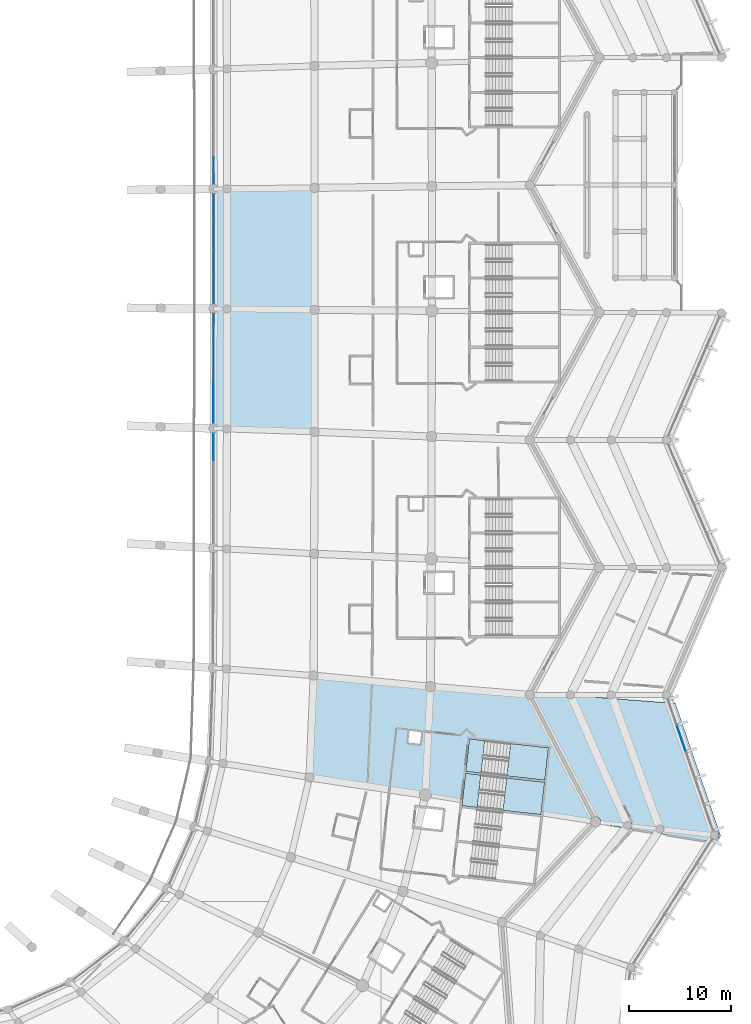
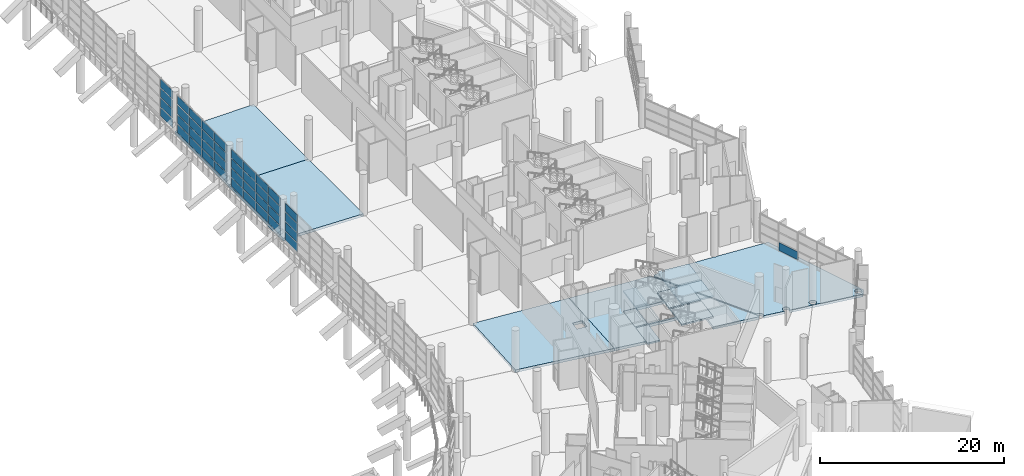
# One storey, part 133 of 271: 41 plates, 13 slabs, 7 elements without a shape of their own.
"""IFC4 building model written with IfcOpenShell, lengths in metres."""

from ifc_helpers import new_model, si_unit, direction, frame, origin, origin_2d, place, context, subcontext, project, spatial, polyline, rectangle, outline, extrude, material, layer, layer_set, type_object, element, aggregate, save


model = new_model("IFC4")

# Units and contexts
model_context = context("Model", 3, precision=1e-05, world=origin(), true_north=direction((0.0, 1.0)))
body_context = subcontext(model_context, "Body", "Model", "MODEL_VIEW")
ifc_project = project(units=[si_unit("LENGTHUNIT", "METRE"), si_unit("AREAUNIT", "SQUARE_METRE"), si_unit("VOLUMEUNIT", "CUBIC_METRE"), si_unit("PLANEANGLEUNIT", "RADIAN"), si_unit("MASSUNIT", "GRAM", prefix="KILO")], contexts=[model_context])

# Site, building, storey
site_placement = place(None, origin())
site = spatial("IfcSite", under=ifc_project, at=site_placement, CompositionType="ELEMENT")
building_placement = place(site_placement, origin())
building = spatial("IfcBuilding", under=site, at=building_placement, Name="Meseta Stadium", CompositionType="ELEMENT")
storey_placement = place(building_placement, frame((0.0, 0.0, 6.5)))
storey = spatial("IfcBuildingStorey", under=building, at=storey_placement, Name="L01", CompositionType="ELEMENT", Elevation=6.5)

# Curtain wall, plates
ifc_material_1 = material(Name="Aluminium", Category="aluminium")
ifc_layer_1 = layer(ifc_material_1, 0.199951171875)
ifc_layer_set_1 = layer_set([ifc_layer_1], Name="Club glazing curtain wall")
curtain_wall_type_1 = type_object("IfcCurtainWallType", Name="Club glazing curtain wall", PredefinedType="NOTDEFINED", material=ifc_layer_set_1)
curtain_wall_1_placement = place(storey_placement, origin())
curtain_wall_1 = element("IfcCurtainWall", 1, at=curtain_wall_1_placement, inside=storey, type_object=curtain_wall_type_1, Name="Club glazing bay 02", PredefinedType="NOTDEFINED")
ifc_material_2 = material(Name="Glass", Category="glass")
ifc_layer_2 = layer(ifc_material_2, 0.028076171875)
ifc_layer_set_2 = layer_set([ifc_layer_2], Name="CW glass panel 28")
plate_type_1 = type_object("IfcPlateType", Name="CW glass panel 28", PredefinedType="CURTAIN_PANEL", material=ifc_layer_set_2)
plate_1_placement = place(storey_placement, frame((63.58447265625, -19.434814453125, 0.1201171875), z_axis=(0.0, 0.0, 1.0), x_axis=(0.0018452545, 0.999998297516, 0.0)))
plate_1 = element("IfcPlate", 2, at=plate_1_placement, type_object=plate_type_1, Name="CWC panel 4.1", PredefinedType="CURTAIN_PANEL", context=body_context, shape_type="SweptSolid", body=[
    extrude(rectangle(XDim=2.61376953125, YDim=0.028076171875, at=origin_2d()), origin(), (0.0, 0.0, 1.0), 1.107421875),
])
plate_2_placement = place(storey_placement, frame((63.58447265625, -19.434814453125, 1.347412109375), z_axis=(0.0, 0.0, 1.0), x_axis=(0.0018452545, 0.999998297516, 0.0)))
plate_2 = element("IfcPlate", 3, at=plate_2_placement, type_object=plate_type_1, Name="CWC panel 4.2", PredefinedType="CURTAIN_PANEL", context=body_context, shape_type="SweptSolid", body=[
    extrude(rectangle(XDim=2.61376953125, YDim=0.028076171875, at=origin_2d()), origin(), (0.0, 0.0, 1.0), 1.16748046875),
])
plate_3_placement = place(storey_placement, frame((63.58447265625, -19.434814453125, 2.635009765625), z_axis=(0.0, 0.0, 1.0), x_axis=(0.0018452545, 0.999998297516, 0.0)))
plate_3 = element("IfcPlate", 4, at=plate_3_placement, type_object=plate_type_1, Name="CWC panel 4.3", PredefinedType="CURTAIN_PANEL", context=body_context, shape_type="SweptSolid", body=[
    extrude(rectangle(XDim=2.61376953125, YDim=0.028076171875, at=origin_2d()), origin(), (0.0, 0.0, 1.0), 1.16748046875),
])
plate_4_placement = place(storey_placement, frame((63.58447265625, -19.434814453125, 3.922607421875), z_axis=(0.0, 0.0, 1.0), x_axis=(0.0018452545, 0.999998297516, 0.0)))
plate_4 = element("IfcPlate", 5, at=plate_4_placement, type_object=plate_type_1, Name="CWC panel 4.4", PredefinedType="CURTAIN_PANEL", context=body_context, shape_type="SweptSolid", body=[
    extrude(rectangle(XDim=2.61376953125, YDim=0.028076171875, at=origin_2d()), origin(), (0.0, 0.0, 1.0), 1.107421875),
])
aggregate(curtain_wall_1, [plate_1, plate_2, plate_3, plate_4])

curtain_wall_2_placement = place(storey_placement, origin())
curtain_wall_2 = element("IfcCurtainWall", 6, at=curtain_wall_2_placement, inside=storey, type_object=curtain_wall_type_1, Name="Club glazing bay 03", PredefinedType="NOTDEFINED")
plate_5_placement = place(storey_placement, frame((63.589599609375, -15.771728515625, 0.1201171875), z_axis=(0.0, 0.0, 1.0), x_axis=(0.000924539991, 0.999999572613, 0.0)))
plate_5 = element("IfcPlate", 7, at=plate_5_placement, type_object=plate_type_1, Name="CWC panel 1.1", PredefinedType="CURTAIN_PANEL", context=body_context, shape_type="SweptSolid", body=[
    extrude(rectangle(XDim=2.614013671875, YDim=0.028076171875, at=origin_2d()), origin(), (0.0, 0.0, 1.0), 1.107421875),
])
plate_6_placement = place(storey_placement, frame((63.589599609375, -15.771728515625, 1.347412109375), z_axis=(0.0, 0.0, 1.0), x_axis=(0.000924539991, 0.999999572613, 0.0)))
plate_6 = element("IfcPlate", 8, at=plate_6_placement, type_object=plate_type_1, Name="CWC panel 1.2", PredefinedType="CURTAIN_PANEL", context=body_context, shape_type="SweptSolid", body=[
    extrude(rectangle(XDim=2.614013671875, YDim=0.028076171875, at=origin_2d()), origin(), (0.0, 0.0, 1.0), 1.16748046875),
])
plate_7_placement = place(storey_placement, frame((63.589599609375, -15.771728515625, 2.635009765625), z_axis=(0.0, 0.0, 1.0), x_axis=(0.000924539991, 0.999999572613, 0.0)))
plate_7 = element("IfcPlate", 9, at=plate_7_placement, type_object=plate_type_1, Name="CWC panel 1.3", PredefinedType="CURTAIN_PANEL", context=body_context, shape_type="SweptSolid", body=[
    extrude(rectangle(XDim=2.614013671875, YDim=0.028076171875, at=origin_2d()), origin(), (0.0, 0.0, 1.0), 1.16748046875),
])
plate_8_placement = place(storey_placement, frame((63.589599609375, -15.771728515625, 3.922607421875), z_axis=(0.0, 0.0, 1.0), x_axis=(0.000924539991, 0.999999572613, 0.0)))
plate_8 = element("IfcPlate", 10, at=plate_8_placement, type_object=plate_type_1, Name="CWC panel 1.4", PredefinedType="CURTAIN_PANEL", context=body_context, shape_type="SweptSolid", body=[
    extrude(rectangle(XDim=2.614013671875, YDim=0.028076171875, at=origin_2d()), origin(), (0.0, 0.0, 1.0), 1.107421875),
])
plate_9_placement = place(storey_placement, frame((63.592041015625, -13.082763671875, 0.1201171875), z_axis=(0.0, 0.0, 1.0), x_axis=(0.000924539991, 0.999999572613, 0.0)))
plate_9 = element("IfcPlate", 11, at=plate_9_placement, type_object=plate_type_1, Name="CWC panel 2.1", PredefinedType="CURTAIN_PANEL", context=body_context, shape_type="SweptSolid", body=[
    extrude(rectangle(XDim=2.64404296875, YDim=0.028076171875, at=origin_2d()), origin(), (0.0, 0.0, 1.0), 1.107421875),
])
plate_10_placement = place(storey_placement, frame((63.592041015625, -13.082763671875, 1.347412109375), z_axis=(0.0, 0.0, 1.0), x_axis=(0.000924539991, 0.999999572613, 0.0)))
plate_10 = element("IfcPlate", 12, at=plate_10_placement, type_object=plate_type_1, Name="CWC panel 2.2", PredefinedType="CURTAIN_PANEL", context=body_context, shape_type="SweptSolid", body=[
    extrude(rectangle(XDim=2.64404296875, YDim=0.028076171875, at=origin_2d()), origin(), (0.0, 0.0, 1.0), 1.16748046875),
])
plate_11_placement = place(storey_placement, frame((63.592041015625, -13.082763671875, 2.635009765625), z_axis=(0.0, 0.0, 1.0), x_axis=(0.000924539991, 0.999999572613, 0.0)))
plate_11 = element("IfcPlate", 13, at=plate_11_placement, type_object=plate_type_1, Name="CWC panel 2.3", PredefinedType="CURTAIN_PANEL", context=body_context, shape_type="SweptSolid", body=[
    extrude(rectangle(XDim=2.64404296875, YDim=0.028076171875, at=origin_2d()), origin(), (0.0, 0.0, 1.0), 1.16748046875),
])
plate_12_placement = place(storey_placement, frame((63.592041015625, -13.082763671875, 3.922607421875), z_axis=(0.0, 0.0, 1.0), x_axis=(0.000924539991, 0.999999572613, 0.0)))
plate_12 = element("IfcPlate", 14, at=plate_12_placement, type_object=plate_type_1, Name="CWC panel 2.4", PredefinedType="CURTAIN_PANEL", context=body_context, shape_type="SweptSolid", body=[
    extrude(rectangle(XDim=2.64404296875, YDim=0.028076171875, at=origin_2d()), origin(), (0.0, 0.0, 1.0), 1.107421875),
])
plate_13_placement = place(storey_placement, frame((63.594482421875, -10.37890625, 0.1201171875), z_axis=(0.0, 0.0, 1.0), x_axis=(0.000924539991, 0.999999572613, 0.0)))
plate_13 = element("IfcPlate", 15, at=plate_13_placement, type_object=plate_type_1, Name="CWC panel 3.1", PredefinedType="CURTAIN_PANEL", context=body_context, shape_type="SweptSolid", body=[
    extrude(rectangle(XDim=2.64404296875, YDim=0.028076171875, at=origin_2d()), origin(), (0.0, 0.0, 1.0), 1.107421875),
])
plate_14_placement = place(storey_placement, frame((63.594482421875, -10.37890625, 1.347412109375), z_axis=(0.0, 0.0, 1.0), x_axis=(0.000924539991, 0.999999572613, 0.0)))
plate_14 = element("IfcPlate", 16, at=plate_14_placement, type_object=plate_type_1, Name="CWC panel 3.2", PredefinedType="CURTAIN_PANEL", context=body_context, shape_type="SweptSolid", body=[
    extrude(rectangle(XDim=2.64404296875, YDim=0.028076171875, at=origin_2d()), origin(), (0.0, 0.0, 1.0), 1.16748046875),
])
plate_15_placement = place(storey_placement, frame((63.594482421875, -10.37890625, 2.635009765625), z_axis=(0.0, 0.0, 1.0), x_axis=(0.000924539991, 0.999999572613, 0.0)))
plate_15 = element("IfcPlate", 17, at=plate_15_placement, type_object=plate_type_1, Name="CWC panel 3.3", PredefinedType="CURTAIN_PANEL", context=body_context, shape_type="SweptSolid", body=[
    extrude(rectangle(XDim=2.64404296875, YDim=0.028076171875, at=origin_2d()), origin(), (0.0, 0.0, 1.0), 1.16748046875),
])
plate_16_placement = place(storey_placement, frame((63.594482421875, -10.37890625, 3.922607421875), z_axis=(0.0, 0.0, 1.0), x_axis=(0.000924539991, 0.999999572613, 0.0)))
plate_16 = element("IfcPlate", 18, at=plate_16_placement, type_object=plate_type_1, Name="CWC panel 3.4", PredefinedType="CURTAIN_PANEL", context=body_context, shape_type="SweptSolid", body=[
    extrude(rectangle(XDim=2.64404296875, YDim=0.028076171875, at=origin_2d()), origin(), (0.0, 0.0, 1.0), 1.107421875),
])
plate_17_placement = place(storey_placement, frame((63.596923828125, -7.689697265625, 0.1201171875), z_axis=(0.0, 0.0, 1.0), x_axis=(0.000924539991, 0.999999572613, 0.0)))
plate_17 = element("IfcPlate", 19, at=plate_17_placement, type_object=plate_type_1, Name="CWC panel 4.1", PredefinedType="CURTAIN_PANEL", context=body_context, shape_type="SweptSolid", body=[
    extrude(rectangle(XDim=2.614013671875, YDim=0.028076171875, at=origin_2d()), origin(), (0.0, 0.0, 1.0), 1.107421875),
])
plate_18_placement = place(storey_placement, frame((63.596923828125, -7.689697265625, 1.347412109375), z_axis=(0.0, 0.0, 1.0), x_axis=(0.000924539991, 0.999999572613, 0.0)))
plate_18 = element("IfcPlate", 20, at=plate_18_placement, type_object=plate_type_1, Name="CWC panel 4.2", PredefinedType="CURTAIN_PANEL", context=body_context, shape_type="SweptSolid", body=[
    extrude(rectangle(XDim=2.614013671875, YDim=0.028076171875, at=origin_2d()), origin(), (0.0, 0.0, 1.0), 1.16748046875),
])
plate_19_placement = place(storey_placement, frame((63.596923828125, -7.689697265625, 2.635009765625), z_axis=(0.0, 0.0, 1.0), x_axis=(0.000924539991, 0.999999572613, 0.0)))
plate_19 = element("IfcPlate", 21, at=plate_19_placement, type_object=plate_type_1, Name="CWC panel 4.3", PredefinedType="CURTAIN_PANEL", context=body_context, shape_type="SweptSolid", body=[
    extrude(rectangle(XDim=2.614013671875, YDim=0.028076171875, at=origin_2d()), origin(), (0.0, 0.0, 1.0), 1.16748046875),
])
plate_20_placement = place(storey_placement, frame((63.596923828125, -7.689697265625, 3.922607421875), z_axis=(0.0, 0.0, 1.0), x_axis=(0.000924539991, 0.999999572613, 0.0)))
plate_20 = element("IfcPlate", 22, at=plate_20_placement, type_object=plate_type_1, Name="CWC panel 4.4", PredefinedType="CURTAIN_PANEL", context=body_context, shape_type="SweptSolid", body=[
    extrude(rectangle(XDim=2.614013671875, YDim=0.028076171875, at=origin_2d()), origin(), (0.0, 0.0, 1.0), 1.107421875),
])
aggregate(curtain_wall_2, [plate_5, plate_6, plate_7, plate_8, plate_9, plate_10, plate_11, plate_12, plate_13, plate_14, plate_15, plate_16, plate_17, plate_18, plate_19, plate_20])

curtain_wall_3_placement = place(storey_placement, origin())
curtain_wall_3 = element("IfcCurtainWall", 23, at=curtain_wall_3_placement, inside=storey, type_object=curtain_wall_type_1, Name="Club glazing bay 04", PredefinedType="NOTDEFINED")
plate_21_placement = place(storey_placement, frame((63.5986328125, -4.0302734375, 0.1201171875), z_axis=(0.0, 0.0, 1.0), x_axis=(0.0, 1.0, 0.0)))
plate_21 = element("IfcPlate", 24, at=plate_21_placement, type_object=plate_type_1, Name="CWC panel 1.1", PredefinedType="CURTAIN_PANEL", context=body_context, shape_type="SweptSolid", body=[
    extrude(rectangle(XDim=2.60693359375, YDim=0.028076171875, at=origin_2d()), origin(), (0.0, 0.0, 1.0), 1.107421875),
])
plate_22_placement = place(storey_placement, frame((63.5986328125, -4.0302734375, 1.347412109375), z_axis=(0.0, 0.0, 1.0), x_axis=(0.0, 1.0, 0.0)))
plate_22 = element("IfcPlate", 25, at=plate_22_placement, type_object=plate_type_1, Name="CWC panel 1.2", PredefinedType="CURTAIN_PANEL", context=body_context, shape_type="SweptSolid", body=[
    extrude(rectangle(XDim=2.60693359375, YDim=0.028076171875, at=origin_2d()), origin(), (0.0, 0.0, 1.0), 1.16748046875),
])
plate_23_placement = place(storey_placement, frame((63.5986328125, -4.0302734375, 2.635009765625), z_axis=(0.0, 0.0, 1.0), x_axis=(0.0, 1.0, 0.0)))
plate_23 = element("IfcPlate", 26, at=plate_23_placement, type_object=plate_type_1, Name="CWC panel 1.3", PredefinedType="CURTAIN_PANEL", context=body_context, shape_type="SweptSolid", body=[
    extrude(rectangle(XDim=2.60693359375, YDim=0.028076171875, at=origin_2d()), origin(), (0.0, 0.0, 1.0), 1.16748046875),
])
plate_24_placement = place(storey_placement, frame((63.5986328125, -4.0302734375, 3.922607421875), z_axis=(0.0, 0.0, 1.0), x_axis=(0.0, 1.0, 0.0)))
plate_24 = element("IfcPlate", 27, at=plate_24_placement, type_object=plate_type_1, Name="CWC panel 1.4", PredefinedType="CURTAIN_PANEL", context=body_context, shape_type="SweptSolid", body=[
    extrude(rectangle(XDim=2.60693359375, YDim=0.028076171875, at=origin_2d()), origin(), (0.0, 0.0, 1.0), 1.107421875),
])
plate_25_placement = place(storey_placement, frame((63.5986328125, -1.348388671875, 0.1201171875), z_axis=(0.0, 0.0, 1.0), x_axis=(0.0, 1.0, 0.0)))
plate_25 = element("IfcPlate", 28, at=plate_25_placement, type_object=plate_type_1, Name="CWC panel 2.1", PredefinedType="CURTAIN_PANEL", context=body_context, shape_type="SweptSolid", body=[
    extrude(rectangle(XDim=2.636962890625, YDim=0.028076171875, at=origin_2d()), origin(), (0.0, 0.0, 1.0), 1.107421875),
])
plate_26_placement = place(storey_placement, frame((63.5986328125, -1.348388671875, 1.347412109375), z_axis=(0.0, 0.0, 1.0), x_axis=(0.0, 1.0, 0.0)))
plate_26 = element("IfcPlate", 29, at=plate_26_placement, type_object=plate_type_1, Name="CWC panel 2.2", PredefinedType="CURTAIN_PANEL", context=body_context, shape_type="SweptSolid", body=[
    extrude(rectangle(XDim=2.636962890625, YDim=0.028076171875, at=origin_2d()), origin(), (0.0, 0.0, 1.0), 1.16748046875),
])
plate_27_placement = place(storey_placement, frame((63.5986328125, -1.348388671875, 2.635009765625), z_axis=(0.0, 0.0, 1.0), x_axis=(0.0, 1.0, 0.0)))
plate_27 = element("IfcPlate", 30, at=plate_27_placement, type_object=plate_type_1, Name="CWC panel 2.3", PredefinedType="CURTAIN_PANEL", context=body_context, shape_type="SweptSolid", body=[
    extrude(rectangle(XDim=2.636962890625, YDim=0.028076171875, at=origin_2d()), origin(), (0.0, 0.0, 1.0), 1.16748046875),
])
plate_28_placement = place(storey_placement, frame((63.5986328125, -1.348388671875, 3.922607421875), z_axis=(0.0, 0.0, 1.0), x_axis=(0.0, 1.0, 0.0)))
plate_28 = element("IfcPlate", 31, at=plate_28_placement, type_object=plate_type_1, Name="CWC panel 2.4", PredefinedType="CURTAIN_PANEL", context=body_context, shape_type="SweptSolid", body=[
    extrude(rectangle(XDim=2.636962890625, YDim=0.028076171875, at=origin_2d()), origin(), (0.0, 0.0, 1.0), 1.107421875),
])
plate_29_placement = place(storey_placement, frame((63.5986328125, 1.348388671875, 0.1201171875), z_axis=(0.0, 0.0, 1.0), x_axis=(0.0, 1.0, 0.0)))
plate_29 = element("IfcPlate", 32, at=plate_29_placement, type_object=plate_type_1, Name="CWC panel 3.1", PredefinedType="CURTAIN_PANEL", context=body_context, shape_type="SweptSolid", body=[
    extrude(rectangle(XDim=2.636962890625, YDim=0.028076171875, at=origin_2d()), origin(), (0.0, 0.0, 1.0), 1.107421875),
])
plate_30_placement = place(storey_placement, frame((63.5986328125, 1.348388671875, 1.347412109375), z_axis=(0.0, 0.0, 1.0), x_axis=(0.0, 1.0, 0.0)))
plate_30 = element("IfcPlate", 33, at=plate_30_placement, type_object=plate_type_1, Name="CWC panel 3.2", PredefinedType="CURTAIN_PANEL", context=body_context, shape_type="SweptSolid", body=[
    extrude(rectangle(XDim=2.636962890625, YDim=0.028076171875, at=origin_2d()), origin(), (0.0, 0.0, 1.0), 1.16748046875),
])
plate_31_placement = place(storey_placement, frame((63.5986328125, 1.348388671875, 2.635009765625), z_axis=(0.0, 0.0, 1.0), x_axis=(0.0, 1.0, 0.0)))
plate_31 = element("IfcPlate", 34, at=plate_31_placement, type_object=plate_type_1, Name="CWC panel 3.3", PredefinedType="CURTAIN_PANEL", context=body_context, shape_type="SweptSolid", body=[
    extrude(rectangle(XDim=2.636962890625, YDim=0.028076171875, at=origin_2d()), origin(), (0.0, 0.0, 1.0), 1.16748046875),
])
plate_32_placement = place(storey_placement, frame((63.5986328125, 1.348388671875, 3.922607421875), z_axis=(0.0, 0.0, 1.0), x_axis=(0.0, 1.0, 0.0)))
plate_32 = element("IfcPlate", 35, at=plate_32_placement, type_object=plate_type_1, Name="CWC panel 3.4", PredefinedType="CURTAIN_PANEL", context=body_context, shape_type="SweptSolid", body=[
    extrude(rectangle(XDim=2.636962890625, YDim=0.028076171875, at=origin_2d()), origin(), (0.0, 0.0, 1.0), 1.107421875),
])
plate_33_placement = place(storey_placement, frame((63.5986328125, 4.0302734375, 0.1201171875), z_axis=(0.0, 0.0, 1.0), x_axis=(0.0, 1.0, 0.0)))
plate_33 = element("IfcPlate", 36, at=plate_33_placement, type_object=plate_type_1, Name="CWC panel 4.1", PredefinedType="CURTAIN_PANEL", context=body_context, shape_type="SweptSolid", body=[
    extrude(rectangle(XDim=2.60693359375, YDim=0.028076171875, at=origin_2d()), origin(), (0.0, 0.0, 1.0), 1.107421875),
])
plate_34_placement = place(storey_placement, frame((63.5986328125, 4.0302734375, 1.347412109375), z_axis=(0.0, 0.0, 1.0), x_axis=(0.0, 1.0, 0.0)))
plate_34 = element("IfcPlate", 37, at=plate_34_placement, type_object=plate_type_1, Name="CWC panel 4.2", PredefinedType="CURTAIN_PANEL", context=body_context, shape_type="SweptSolid", body=[
    extrude(rectangle(XDim=2.60693359375, YDim=0.028076171875, at=origin_2d()), origin(), (0.0, 0.0, 1.0), 1.16748046875),
])
plate_35_placement = place(storey_placement, frame((63.5986328125, 4.0302734375, 2.635009765625), z_axis=(0.0, 0.0, 1.0), x_axis=(0.0, 1.0, 0.0)))
plate_35 = element("IfcPlate", 38, at=plate_35_placement, type_object=plate_type_1, Name="CWC panel 4.3", PredefinedType="CURTAIN_PANEL", context=body_context, shape_type="SweptSolid", body=[
    extrude(rectangle(XDim=2.60693359375, YDim=0.028076171875, at=origin_2d()), origin(), (0.0, 0.0, 1.0), 1.16748046875),
])
plate_36_placement = place(storey_placement, frame((63.5986328125, 4.0302734375, 3.922607421875), z_axis=(0.0, 0.0, 1.0), x_axis=(0.0, 1.0, 0.0)))
plate_36 = element("IfcPlate", 39, at=plate_36_placement, type_object=plate_type_1, Name="CWC panel 4.4", PredefinedType="CURTAIN_PANEL", context=body_context, shape_type="SweptSolid", body=[
    extrude(rectangle(XDim=2.60693359375, YDim=0.028076171875, at=origin_2d()), origin(), (0.0, 0.0, 1.0), 1.107421875),
])
aggregate(curtain_wall_3, [plate_21, plate_22, plate_23, plate_24, plate_25, plate_26, plate_27, plate_28, plate_29, plate_30, plate_31, plate_32, plate_33, plate_34, plate_35, plate_36])

curtain_wall_4_placement = place(storey_placement, origin())
curtain_wall_4 = element("IfcCurtainWall", 40, at=curtain_wall_4_placement, inside=storey, type_object=curtain_wall_type_1, Name="Club glazing bay 05", PredefinedType="NOTDEFINED")
plate_37_placement = place(storey_placement, frame((63.596923828125, 7.689697265625, 0.1201171875), z_axis=(0.0, 0.0, 1.0), x_axis=(-0.000924539991, 0.999999572613, 0.0)))
plate_37 = element("IfcPlate", 41, at=plate_37_placement, type_object=plate_type_1, Name="CWC panel 1.1", PredefinedType="CURTAIN_PANEL", context=body_context, shape_type="SweptSolid", body=[
    extrude(rectangle(XDim=2.614013671875, YDim=0.028076171875, at=origin_2d()), origin(), (0.0, 0.0, 1.0), 1.107421875),
])
plate_38_placement = place(storey_placement, frame((63.596923828125, 7.689697265625, 1.347412109375), z_axis=(0.0, 0.0, 1.0), x_axis=(-0.000924539991, 0.999999572613, 0.0)))
plate_38 = element("IfcPlate", 42, at=plate_38_placement, type_object=plate_type_1, Name="CWC panel 1.2", PredefinedType="CURTAIN_PANEL", context=body_context, shape_type="SweptSolid", body=[
    extrude(rectangle(XDim=2.614013671875, YDim=0.028076171875, at=origin_2d()), origin(), (0.0, 0.0, 1.0), 1.16748046875),
])
plate_39_placement = place(storey_placement, frame((63.596923828125, 7.689697265625, 2.635009765625), z_axis=(0.0, 0.0, 1.0), x_axis=(-0.000924539991, 0.999999572613, 0.0)))
plate_39 = element("IfcPlate", 43, at=plate_39_placement, type_object=plate_type_1, Name="CWC panel 1.3", PredefinedType="CURTAIN_PANEL", context=body_context, shape_type="SweptSolid", body=[
    extrude(rectangle(XDim=2.614013671875, YDim=0.028076171875, at=origin_2d()), origin(), (0.0, 0.0, 1.0), 1.16748046875),
])
plate_40_placement = place(storey_placement, frame((63.596923828125, 7.689697265625, 3.922607421875), z_axis=(0.0, 0.0, 1.0), x_axis=(-0.000924539991, 0.999999572613, 0.0)))
plate_40 = element("IfcPlate", 44, at=plate_40_placement, type_object=plate_type_1, Name="CWC panel 1.4", PredefinedType="CURTAIN_PANEL", context=body_context, shape_type="SweptSolid", body=[
    extrude(rectangle(XDim=2.614013671875, YDim=0.028076171875, at=origin_2d()), origin(), (0.0, 0.0, 1.0), 1.107421875),
])
aggregate(curtain_wall_4, [plate_37, plate_38, plate_39, plate_40])

# Slabs
ifc_material_3 = material(Name="Concrete C40/50", Category="concrete")
ifc_layer_3 = layer(ifc_material_3, 0.35009765625)
ifc_layer_set_3 = layer_set([ifc_layer_3], Name="Floor slab 350")
slab_type_1 = type_object("IfcSlabType", Name="Floor slab 350", PredefinedType="FLOOR", material=ifc_layer_set_3)
slab_1_placement = place(storey_placement, frame((0.0, 0.0, -0.35009765625)))
element("IfcSlab", 45, at=slab_1_placement, inside=storey, type_object=slab_type_1, Name="Floor slab L01 sector 00 panel 05", PredefinedType="FLOOR", context=body_context, shape_type="SweptSolid", body=[
    extrude(outline(polyline([(73.498046875, -5.981201171875), (63.5986328125, -5.872802734375), (63.594482421875, -11.74560546875), (63.587890625, -17.617919921875), (73.482421875, -17.943603515625), (73.498046875, -5.981201171875)])), origin(), (0.0, 0.0, 1.0), 0.35009765625),
])
slab_2_placement = place(storey_placement, frame((0.0, 0.0, -0.35009765625)))
element("IfcSlab", 46, at=slab_2_placement, inside=storey, type_object=slab_type_1, Name="Floor slab L01 sector 00 panel 07", PredefinedType="FLOOR", context=body_context, shape_type="SweptSolid", body=[
    extrude(outline(polyline([(73.498046875, 5.981201171875), (63.5986328125, 5.872802734375), (63.60009765625, 0.0), (63.5986328125, -5.872802734375), (73.498046875, -5.981201171875), (73.498046875, 5.981201171875)])), origin(), (0.0, 0.0, 1.0), 0.35009765625),
])
slab_3_placement = place(storey_placement, frame((0.0, 0.0, -0.35009765625)))
element("IfcSlab", 47, at=slab_3_placement, inside=storey, type_object=slab_type_1, Name="Floor slab L01 sector 00 panel 08", PredefinedType="FLOOR", context=body_context, shape_type="SweptSolid", body=[
    extrude(outline(polyline([(84.36328125, -53.5654296875), (84.85400390625, -42.948486328125), (73.40478515625, -41.8623046875), (72.99267578125, -51.837158203125), (84.34033203125, -53.664794921875), (84.36328125, -53.5654296875)]), holes=[polyline([(83.84716796875, -48.57861328125), (82.65478515625, -48.444091796875), (82.7890625, -47.251708984375), (83.9814453125, -47.385986328125), (83.84716796875, -48.57861328125)])]), origin(), (0.0, 0.0, 1.0), 0.35009765625),
])
slab_4_placement = place(storey_placement, frame((0.0, 0.0, -0.35009765625)))
element("IfcSlab", 48, at=slab_4_placement, inside=storey, type_object=slab_type_1, Name="Floor slab L01 sector 00 panel 20", PredefinedType="FLOOR", context=body_context, shape_type="SweptSolid", body=[
    extrude(outline(polyline([(96.05517578125, -52.319091796875), (95.697509765625, -55.493896484375), (100.927490234375, -56.336181640625), (101.0517578125, -56.202880859375), (94.60009765625, -43.75), (84.85400390625, -42.948486328125), (84.36328125, -53.5654296875), (84.34033203125, -53.664794921875), (87.98779296875, -54.252197265625), (88.30419921875, -51.44580078125), (96.05517578125, -52.319091796875)]), holes=[polyline([(96.077392578125, -52.1201171875), (88.326416015625, -51.246826171875), (88.684814453125, -48.06689453125), (96.435791015625, -48.9404296875), (96.077392578125, -52.1201171875)])]), origin(), (0.0, 0.0, 1.0), 0.35009765625),
])
slab_5_placement = place(storey_placement, frame((0.0, 0.0, -0.35009765625)))
element("IfcSlab", 49, at=slab_5_placement, inside=storey, type_object=slab_type_1, Name="Ring floor slab L01 8 part 2 panel 01", PredefinedType="FLOOR", context=body_context, shape_type="SweptSolid", body=[
    extrude(outline(polyline([(98.210205078125, -43.8544921875), (98.196533203125, -43.75), (95.053955078125, -43.75), (95.038330078125, -43.867431640625), (94.9931640625, -43.976806640625), (94.929443359375, -44.059814453125), (100.965087890625, -55.7099609375), (101.0517578125, -55.698486328125), (101.18212890625, -55.7158203125), (101.3037109375, -55.76611328125), (101.408203125, -55.84619140625), (101.48828125, -55.95068359375), (101.538818359375, -56.072265625), (101.555908203125, -56.202880859375), (101.538818359375, -56.33349609375), (101.49951171875, -56.42822265625), (103.90478515625, -56.815673828125), (103.862548828125, -56.760498046875), (103.822265625, -56.663330078125), (103.80859375, -56.558837890625), (103.822265625, -56.45458984375), (103.862548828125, -56.357177734375), (103.9267578125, -56.273681640625), (104.01025390625, -56.20947265625), (104.107666015625, -56.169189453125), (104.2119140625, -56.155517578125), (104.31640625, -56.169189453125), (104.413818359375, -56.20947265625), (104.497314453125, -56.273681640625), (104.561279296875, -56.357177734375), (104.601806640625, -56.45458984375), (104.615478515625, -56.558837890625), (104.601806640625, -56.663330078125), (104.561279296875, -56.760498046875), (104.497314453125, -56.84423828125), (104.42529296875, -56.8994140625), (112.906982421875, -58.265380859375), (113.334716796875, -57.5869140625), (108.885986328125, -44.58544921875), (102.7626953125, -44.115478515625), (102.704345703125, -44.1396484375), (102.60009765625, -44.153564453125), (102.49560546875, -44.1396484375), (102.398193359375, -44.099365234375), (102.381103515625, -44.086181640625), (98.993408203125, -43.826171875), (98.98974609375, -43.8544921875), (98.949462890625, -43.95166015625), (98.88525390625, -44.035400390625), (98.8017578125, -44.099365234375), (98.704345703125, -44.1396484375), (98.60009765625, -44.153564453125), (98.49560546875, -44.1396484375), (98.398193359375, -44.099365234375), (98.314697265625, -44.035400390625), (98.25048828125, -43.95166015625), (98.210205078125, -43.8544921875)]), holes=[polyline([(112.3486328125, -57.415283203125), (112.388916015625, -57.31787109375), (112.453125, -57.234375), (112.53662109375, -57.170166015625), (112.634033203125, -57.1298828125), (112.73828125, -57.1162109375), (112.8427734375, -57.1298828125), (112.940185546875, -57.170166015625), (113.023681640625, -57.234375), (113.087890625, -57.31787109375), (113.128173828125, -57.415283203125), (113.141845703125, -57.51953125), (113.128173828125, -57.6240234375), (113.087890625, -57.72119140625), (113.023681640625, -57.804931640625), (112.940185546875, -57.868896484375), (112.8427734375, -57.9091796875), (112.73828125, -57.923095703125), (112.634033203125, -57.9091796875), (112.53662109375, -57.868896484375), (112.453125, -57.804931640625), (112.388916015625, -57.72119140625), (112.3486328125, -57.6240234375), (112.3349609375, -57.51953125), (112.3486328125, -57.415283203125)]), polyline([(107.476806640625, -56.525390625), (107.57421875, -56.565673828125), (107.65771484375, -56.629638671875), (107.7216796875, -56.71337890625), (107.76220703125, -56.810546875), (107.77587890625, -56.9150390625), (107.76220703125, -57.019287109375), (107.7216796875, -57.11669921875), (107.65771484375, -57.2001953125), (107.57421875, -57.264404296875), (107.476806640625, -57.3046875), (107.372314453125, -57.318603515625), (107.267822265625, -57.3046875), (107.170654296875, -57.264404296875), (107.087158203125, -57.2001953125), (107.02294921875, -57.11669921875), (106.982666015625, -57.019287109375), (106.968994140625, -56.9150390625), (106.982666015625, -56.810546875), (107.02294921875, -56.71337890625), (107.087158203125, -56.629638671875), (107.170654296875, -56.565673828125), (107.267822265625, -56.525390625), (107.372314453125, -56.51171875), (107.476806640625, -56.525390625)])]), origin(), (0.0, 0.0, 1.0), 0.35009765625),
])

# Curtain wall, plate
ifc_material_4 = material(Name="Aluminium", Category="aluminium")
ifc_layer_4 = layer(ifc_material_4, 0.199951171875)
ifc_layer_set_4 = layer_set([ifc_layer_4], Name="Ring shopfront curtain wall")
curtain_wall_type_2 = type_object("IfcCurtainWallType", Name="Ring shopfront curtain wall", PredefinedType="NOTDEFINED", material=ifc_layer_set_4)
curtain_wall_5_placement = place(storey_placement, origin())
curtain_wall_5 = element("IfcCurtainWall", 50, at=curtain_wall_5_placement, inside=storey, type_object=curtain_wall_type_2, Name="Ring glazing L01 F00", PredefinedType="NOTDEFINED")
ifc_material_5 = material(Name="Glass", Category="glass")
ifc_layer_5 = layer(ifc_material_5, 0.035888671875)
ifc_layer_set_5 = layer_set([ifc_layer_5], Name="Ring CW glass panel 36")
plate_type_2 = type_object("IfcPlateType", Name="Ring CW glass panel 36", PredefinedType="CURTAIN_PANEL", material=ifc_layer_set_5)
plate_41_placement = place(storey_placement, frame((109.4736328125, -48.0322265625, 0.14990234375), z_axis=(0.0, 0.0, 1.0), x_axis=(-0.325385990532, 0.945581280042, 0.0)))
plate_41 = element("IfcPlate", 51, at=plate_41_placement, type_object=plate_type_2, Name="CWR1 panel 4.1", PredefinedType="CURTAIN_PANEL", context=body_context, shape_type="SweptSolid", body=[
    extrude(rectangle(XDim=2.6923828125, YDim=0.035888671875, at=origin_2d()), origin(), (0.0, 0.0, 1.0), 1.058349609375),
])
aggregate(curtain_wall_5, [plate_41])

# Stair, slabs
ifc_material_6 = material(Name="Concrete C40/50", Category="concrete")
stair_type = type_object("IfcStairType", Name="Exit stair 4 flights 153 mm risers", PredefinedType="HALF_TURN_STAIR", material=ifc_material_6)
stair_1_placement = place(storey_placement, origin())
stair_1 = element("IfcStair", 52, at=stair_1_placement, inside=storey, type_object=stair_type, Name="ST3 L01", PredefinedType="HALF_TURN_STAIR")
ifc_material_7 = material(Name="Concrete C40/50", Category="concrete")
ifc_layer_6 = layer(ifc_material_7, 0.199951171875)
ifc_layer_set_6 = layer_set([ifc_layer_6], Name="Stair landing 200")
slab_type_2 = type_object("IfcSlabType", Name="Stair landing 200", PredefinedType="LANDING", material=ifc_layer_set_6)
slab_6_placement = place(storey_placement, frame((0.0, 0.0, 1.175048828125)))
slab_6 = element("IfcSlab", 53, at=slab_6_placement, type_object=slab_type_2, Name="ST3 L01 landing 1", PredefinedType="LANDING", context=body_context, shape_type="SweptSolid", body=[
    extrude(outline(polyline([(91.970458984375, -55.0791015625), (95.69677734375, -55.498779296875), (96.05517578125, -52.319091796875), (92.32861328125, -51.899169921875), (91.970458984375, -55.0791015625)])), origin(), (0.0, 0.0, 1.0), 0.199951171875),
])
slab_7_placement = place(storey_placement, frame((0.0, 0.0, 2.550048828125)))
slab_7 = element("IfcSlab", 54, at=slab_7_placement, type_object=slab_type_2, Name="ST3 L01 landing 2", PredefinedType="LANDING", context=body_context, shape_type="SweptSolid", body=[
    extrude(outline(polyline([(87.94580078125, -54.62548828125), (89.4462890625, -54.794677734375), (89.8046875, -51.61474609375), (88.30419921875, -51.445556640625), (87.94580078125, -54.62548828125)])), origin(), (0.0, 0.0, 1.0), 0.199951171875),
])
slab_8_placement = place(storey_placement, frame((0.0, 0.0, 3.925048828125)))
slab_8 = element("IfcSlab", 55, at=slab_8_placement, type_object=slab_type_2, Name="ST3 L01 landing 3", PredefinedType="LANDING", context=body_context, shape_type="SweptSolid", body=[
    extrude(outline(polyline([(91.970458984375, -55.0791015625), (95.69677734375, -55.498779296875), (96.05517578125, -52.319091796875), (92.32861328125, -51.899169921875), (91.970458984375, -55.0791015625)])), origin(), (0.0, 0.0, 1.0), 0.199951171875),
])
slab_9_placement = place(storey_placement, frame((0.0, 0.0, -0.199951171875)))
slab_9 = element("IfcSlab", 56, at=slab_9_placement, type_object=slab_type_2, Name="ST3 L01 landing 4", PredefinedType="LANDING", context=body_context, shape_type="SweptSolid", body=[
    extrude(outline(polyline([(87.94580078125, -54.62548828125), (89.4462890625, -54.794677734375), (89.8046875, -51.61474609375), (88.30419921875, -51.445556640625), (87.94580078125, -54.62548828125)])), origin(), (0.0, 0.0, 1.0), 0.199951171875),
])
aggregate(stair_1, [slab_6, slab_7, slab_8, slab_9])

stair_2_placement = place(storey_placement, origin())
stair_2 = element("IfcStair", 57, at=stair_2_placement, inside=storey, type_object=stair_type, Name="ST4 L01", PredefinedType="HALF_TURN_STAIR")
slab_10_placement = place(storey_placement, frame((0.0, 0.0, 1.175048828125)))
slab_10 = element("IfcSlab", 58, at=slab_10_placement, type_object=slab_type_2, Name="ST4 L01 landing 1", PredefinedType="LANDING", context=body_context, shape_type="SweptSolid", body=[
    extrude(outline(polyline([(92.35107421875, -51.700439453125), (96.077392578125, -52.1201171875), (96.435791015625, -48.9404296875), (92.70947265625, -48.5205078125), (92.35107421875, -51.700439453125)])), origin(), (0.0, 0.0, 1.0), 0.199951171875),
])
slab_11_placement = place(storey_placement, frame((0.0, 0.0, 2.550048828125)))
slab_11 = element("IfcSlab", 59, at=slab_11_placement, type_object=slab_type_2, Name="ST4 L01 landing 2", PredefinedType="LANDING", context=body_context, shape_type="SweptSolid", body=[
    extrude(outline(polyline([(88.326416015625, -51.246826171875), (89.8271484375, -51.416015625), (90.185302734375, -48.236083984375), (88.684814453125, -48.067138671875), (88.326416015625, -51.246826171875)])), origin(), (0.0, 0.0, 1.0), 0.199951171875),
])
slab_12_placement = place(storey_placement, frame((0.0, 0.0, 3.925048828125)))
slab_12 = element("IfcSlab", 60, at=slab_12_placement, type_object=slab_type_2, Name="ST4 L01 landing 3", PredefinedType="LANDING", context=body_context, shape_type="SweptSolid", body=[
    extrude(outline(polyline([(92.35107421875, -51.700439453125), (96.077392578125, -52.1201171875), (96.435791015625, -48.9404296875), (92.70947265625, -48.5205078125), (92.35107421875, -51.700439453125)])), origin(), (0.0, 0.0, 1.0), 0.199951171875),
])
slab_13_placement = place(storey_placement, frame((0.0, 0.0, -0.199951171875)))
slab_13 = element("IfcSlab", 61, at=slab_13_placement, type_object=slab_type_2, Name="ST4 L01 landing 4", PredefinedType="LANDING", context=body_context, shape_type="SweptSolid", body=[
    extrude(outline(polyline([(88.326416015625, -51.246826171875), (89.8271484375, -51.416015625), (90.185302734375, -48.236083984375), (88.684814453125, -48.067138671875), (88.326416015625, -51.246826171875)])), origin(), (0.0, 0.0, 1.0), 0.199951171875),
])
aggregate(stair_2, [slab_10, slab_11, slab_12, slab_13])

save(model, "model.ifc")
